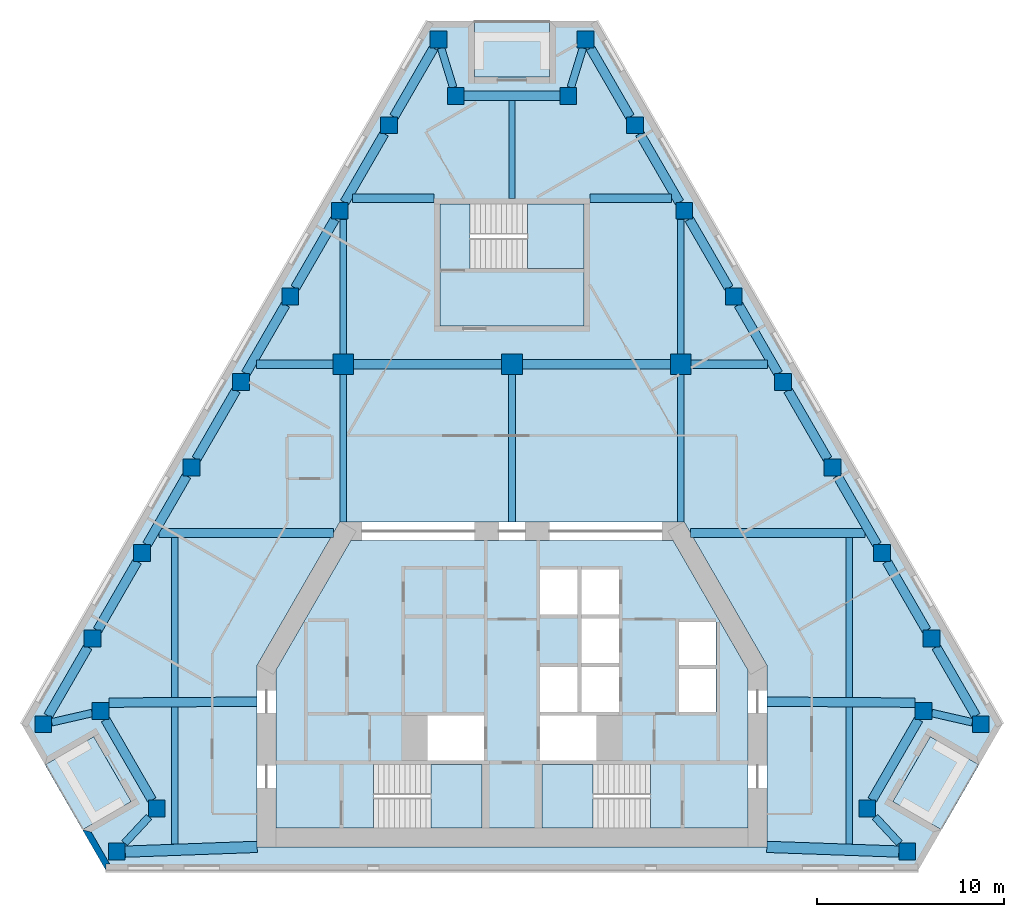
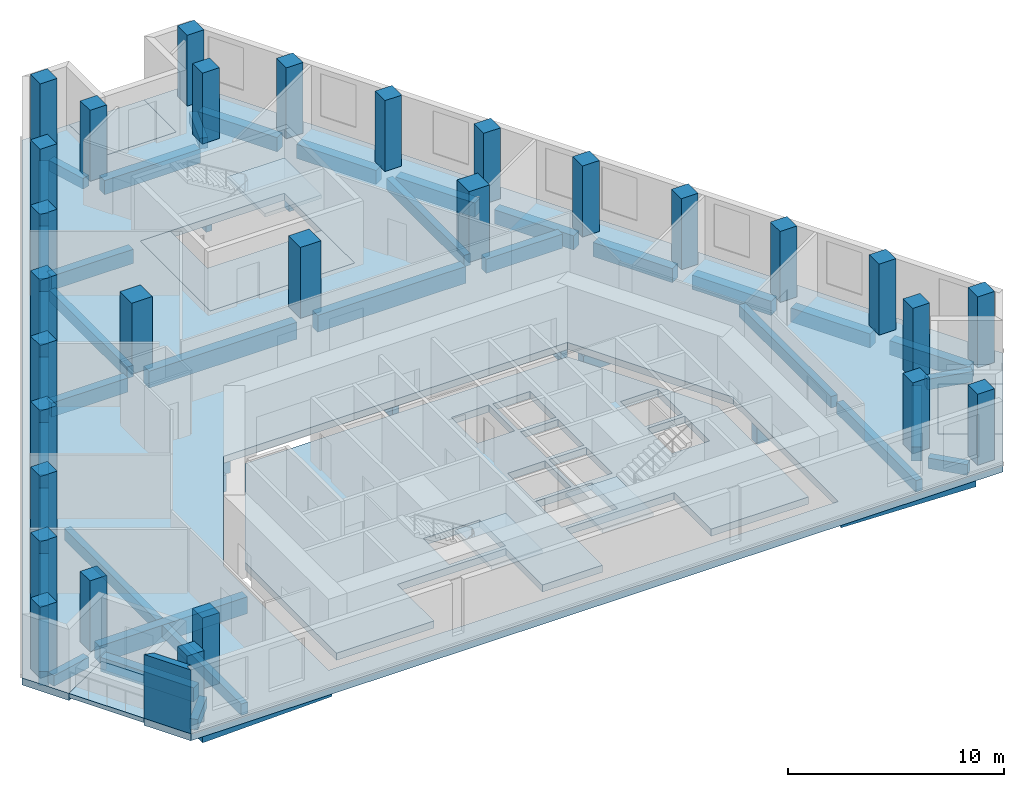
# One storey, part 1 of 7: 47 beams, 29 columns, 9 slabs, 1 wall, 3 elements without a shape of their own.
"""IFC4 building model written with IfcOpenShell, lengths in metres."""

from ifc_helpers import new_model, si_unit, direction, frame, origin, origin_2d, place, context, subcontext, project, spatial, polyline, rectangle, outline, extrude, material, layer, layer_set, material_profile, profile_set, type_object, element, aggregate, save


model = new_model("IFC4")

# Units and contexts
model_context = context("Model", 3, precision=1e-05, world=origin(), true_north=direction((0.0, 1.0)))
body_context = subcontext(model_context, "Body", "Model", "MODEL_VIEW")
ifc_project = project(units=[si_unit("LENGTHUNIT", "METRE"), si_unit("AREAUNIT", "SQUARE_METRE"), si_unit("VOLUMEUNIT", "CUBIC_METRE"), si_unit("PLANEANGLEUNIT", "RADIAN"), si_unit("MASSUNIT", "GRAM", prefix="KILO")], contexts=[model_context])

# Site, building, storey
site_placement = place(None, origin())
site = spatial("IfcSite", under=ifc_project, at=site_placement, CompositionType="ELEMENT")
building_placement = place(site_placement, origin())
building = spatial("IfcBuilding", under=site, at=building_placement, Name="Fogline Exchange Tower", CompositionType="ELEMENT")
storey_placement = place(building_placement, frame((0.0, 0.0, 247.5)))
storey = spatial("IfcBuildingStorey", under=building, at=storey_placement, Name="L56", CompositionType="ELEMENT", Elevation=247.5)

# Columns
ifc_material_1 = material(Name="Concrete C60", Category="concrete")
ifc_material_profile_1 = material_profile(ifc_material_1, rectangle(XDim=1.10009765625, YDim=1.10009765625, at=origin_2d()), Name="RC 1100x1100")
ifc_profile_set_1 = profile_set([ifc_material_profile_1], Name="Concrete C60")
column_type_1 = type_object("IfcColumnType", Name="C05", PredefinedType="COLUMN", material=ifc_profile_set_1)
for number, where, z_axis, x_axis, name in (
    (1, (-9.0, 27.0, 0.0), (0.0, 0.0, 1.0), (1.0, 0.0, 0.0), "IC--9-27"),
    (2, (0.0, 27.0, 0.0), (0.0, 0.0, 1.0), (1.0, 0.0, 0.0), "IC-0-27"),
    (3, (9.0, 27.0, 0.0), (0.0, 0.0, 1.0), (1.0, 0.0, 0.0), "IC-9-27"),
):
    element("IfcColumn", number, at=place(storey_placement, frame(where, z_axis=z_axis, x_axis=x_axis)), inside=storey, type_object=column_type_1, Name=name, PredefinedType="COLUMN", context=body_context, shape_type="SweptSolid", body=[
        extrude(rectangle(XDim=1.10009765625, YDim=1.10009765625, at=origin_2d()), origin(), (0.0, 0.0, 1.0), 4.0),
    ])
ifc_material_profile_2 = material_profile(ifc_material_1, rectangle(XDim=0.89990234375, YDim=0.89990234375, at=origin_2d()), Name="RC 900x900")
ifc_profile_set_2 = profile_set([ifc_material_profile_2], Name="Concrete C60")
column_type_2 = type_object("IfcColumnType", Name="C06", PredefinedType="COLUMN", material=ifc_profile_set_2)
for number, where, z_axis, x_axis, name in (
    (4, (-25.0146484375, 7.794189453125, 0.0), (0.0, 0.0, 1.0), (1.0, 0.0, 0.0), "SW-a"),
    (5, (-21.955322265625, 8.4951171875, 0.0), (0.0, 0.0, 1.0), (1.0, 0.0, 0.0), "SW-p4"),
    (6, (-18.955322265625, 3.299072265625, 0.0), (0.0, 0.0, 1.0), (1.0, 0.0, 0.0), "SW-p3"),
    (7, (-21.092041015625, 1.0, 0.0), (0.0, 0.0, 1.0), (1.0, 0.0, 0.0), "SW-b"),
    (8, (21.092041015625, 1.0, 0.0), (0.0, 0.0, 1.0), (1.0, 0.0, 0.0), "SE-a"),
    (9, (18.955322265625, 3.299072265625, 0.0), (0.0, 0.0, 1.0), (1.0, 0.0, 0.0), "SE-p4"),
    (10, (21.955322265625, 8.4951171875, 0.0), (0.0, 0.0, 1.0), (1.0, 0.0, 0.0), "SE-p3"),
    (11, (25.0146484375, 7.794189453125, 0.0), (0.0, 0.0, 1.0), (1.0, 0.0, 0.0), "SE-b"),
    (12, (22.378173828125, 12.36083984375, 0.0), (0.0, 0.0, 1.0), (1.0, 0.0, 0.0), "E1"),
    (13, (19.74169921875, 16.92724609375, 0.0), (0.0, 0.0, 1.0), (1.0, 0.0, 0.0), "E2"),
    (14, (17.105224609375, 21.493896484375, 0.0), (0.0, 0.0, 1.0), (1.0, 0.0, 0.0), "E3"),
    (15, (14.46875, 26.060302734375, 0.0), (0.0, 0.0, 1.0), (1.0, 0.0, 0.0), "E4"),
    (16, (11.832275390625, 30.626953125, 0.0), (0.0, 0.0, 1.0), (1.0, 0.0, 0.0), "E5"),
    (17, (9.19580078125, 35.193603515625, 0.0), (0.0, 0.0, 1.0), (1.0, 0.0, 0.0), "E6"),
    (18, (6.55908203125, 39.760009765625, 0.0), (0.0, 0.0, 1.0), (1.0, 0.0, 0.0), "E7"),
    (19, (3.922607421875, 44.32666015625, 0.0), (0.0, 0.0, 1.0), (1.0, 0.0, 0.0), "N-a"),
    (20, (3.0, 41.32666015625, 0.0), (0.0, 0.0, 1.0), (1.0, 0.0, 0.0), "N-p4"),
    (21, (-3.0, 41.32666015625, 0.0), (0.0, 0.0, 1.0), (1.0, 0.0, 0.0), "N-p3"),
    (22, (-3.922607421875, 44.32666015625, 0.0), (0.0, 0.0, 1.0), (1.0, 0.0, 0.0), "N-b"),
    (23, (-6.55908203125, 39.760009765625, 0.0), (0.0, 0.0, 1.0), (1.0, 0.0, 0.0), "W1"),
    (24, (-9.19580078125, 35.193603515625, 0.0), (0.0, 0.0, 1.0), (1.0, 0.0, 0.0), "W2"),
    (25, (-11.832275390625, 30.626953125, 0.0), (0.0, 0.0, 1.0), (1.0, 0.0, 0.0), "W3"),
    (26, (-14.46875, 26.060302734375, 0.0), (0.0, 0.0, 1.0), (1.0, 0.0, 0.0), "W4"),
    (27, (-17.105224609375, 21.493896484375, 0.0), (0.0, 0.0, 1.0), (1.0, 0.0, 0.0), "W5"),
    (28, (-19.74169921875, 16.92724609375, 0.0), (0.0, 0.0, 1.0), (1.0, 0.0, 0.0), "W6"),
    (29, (-22.378173828125, 12.36083984375, 0.0), (0.0, 0.0, 1.0), (1.0, 0.0, 0.0), "W7"),
):
    element("IfcColumn", number, at=place(storey_placement, frame(where, z_axis=z_axis, x_axis=x_axis)), inside=storey, type_object=column_type_2, Name=name, PredefinedType="COLUMN", context=body_context, shape_type="SweptSolid", body=[
        extrude(rectangle(XDim=0.89990234375, YDim=0.89990234375, at=origin_2d()), origin(), (0.0, 0.0, 1.0), 4.0),
    ])

# Beams
ifc_material_2 = material(Name="Concrete C40", Category="concrete")
ifc_material_profile_3 = material_profile(ifc_material_2, rectangle(XDim=0.300048828125, YDim=0.60009765625, at=origin_2d()), Name="RC 300x600")
ifc_profile_set_3 = profile_set([ifc_material_profile_3], Name="Concrete C40")
beam_type_1 = type_object("IfcBeamType", Name="B06", PredefinedType="BEAM", material=ifc_profile_set_3)
beam_1_placement = place(storey_placement, frame((0.0, 35.85693359375, -0.699951171875), z_axis=(0.0, 1.0, 0.0), x_axis=(-1.0, 0.0, 0.0)))
element("IfcBeam", 30, at=beam_1_placement, inside=storey, type_object=beam_type_1, Name="SB006", PredefinedType="BEAM", context=body_context, shape_type="SweptSolid", body=[
    extrude(rectangle(XDim=0.300048828125, YDim=0.60009765625, at=origin_2d()), origin(), (0.0, 0.0, 1.0), 5.2197265625),
])
ifc_material_profile_4 = material_profile(ifc_material_2, rectangle(XDim=0.60009765625, YDim=0.89990234375, at=origin_2d()), Name="RC 600x900")
ifc_profile_set_4 = profile_set([ifc_material_profile_4], Name="Concrete C40")
beam_type_2 = type_object("IfcBeamType", Name="B09", PredefinedType="BEAM", material=ifc_profile_set_4)
beam_2_placement = place(storey_placement, frame((-20.64208984375, 0.99462890625, -0.85009765625), z_axis=(0.999343107492, 0.036240219472, 0.0), x_axis=(-0.036240219472, 0.999343107492, 0.0)))
element("IfcBeam", 31, at=beam_2_placement, inside=storey, type_object=beam_type_2, Name="RB004", PredefinedType="BEAM", context=body_context, shape_type="SweptSolid", body=[
    extrude(rectangle(XDim=0.60009765625, YDim=0.89990234375, at=origin_2d()), origin(), (0.0, 0.0, 1.0), 7.046630859375),
])
beam_3_placement = place(storey_placement, frame((13.60009765625, 1.25, -0.85009765625), z_axis=(0.99937042328, -0.035478966629, 0.0), x_axis=(0.035478966629, 0.99937042328, 0.0)))
element("IfcBeam", 32, at=beam_3_placement, inside=storey, type_object=beam_type_2, Name="RB005", PredefinedType="BEAM", context=body_context, shape_type="SweptSolid", body=[
    extrude(rectangle(XDim=0.60009765625, YDim=0.89990234375, at=origin_2d()), origin(), (0.0, 0.0, 1.0), 7.04638671875),
])
ifc_material_profile_5 = material_profile(ifc_material_2, rectangle(XDim=0.5, YDim=0.800048828125, at=origin_2d()), Name="RC 500x800")
ifc_profile_set_5 = profile_set([ifc_material_profile_5], Name="Concrete C40")
beam_type_3 = type_object("IfcBeamType", Name="B10", PredefinedType="BEAM", material=ifc_profile_set_5)
for number, where, z_axis, x_axis, name in (
    (33, (-21.6953125, 8.045166015625, -0.800048828125), (0.499976646485, -0.866038886523, 0.0), (0.866038886523, 0.499976646485, 0.0), "RB002"),
    (34, (19.215087890625, 3.7490234375, -0.800048828125), (0.499976646485, 0.866038886523, 0.0), (-0.866038886523, 0.499976646485, 0.0), "RB007"),
):
    element("IfcBeam", number, at=place(storey_placement, frame(where, z_axis=z_axis, x_axis=x_axis)), inside=storey, type_object=beam_type_3, Name=name, PredefinedType="BEAM", context=body_context, shape_type="SweptSolid", body=[
        extrude(rectangle(XDim=0.5, YDim=0.800048828125, at=origin_2d()), origin(), (0.0, 0.0, 1.0), 4.960693359375),
    ])
beam_4_placement = place(storey_placement, frame((24.7548828125, 8.244140625, -0.800048828125), z_axis=(-0.499990325971, 0.866030989016, 0.0), x_axis=(-0.866030989016, -0.499990325971, 0.0)))
element("IfcBeam", 35, at=beam_4_placement, inside=storey, type_object=beam_type_3, Name="RB009", PredefinedType="BEAM", context=body_context, shape_type="SweptSolid", body=[
    extrude(rectangle(XDim=0.5, YDim=0.800048828125, at=origin_2d()), origin(), (0.0, 0.0, 1.0), 4.23388671875),
])
beam_5_placement = place(storey_placement, frame((22.118408203125, 12.810791015625, -0.800048828125), z_axis=(-0.500015295222, 0.866016572904, 0.0), x_axis=(-0.866016572904, -0.500015295222, 0.0)))
element("IfcBeam", 36, at=beam_5_placement, inside=storey, type_object=beam_type_3, Name="RB010", PredefinedType="BEAM", context=body_context, shape_type="SweptSolid", body=[
    extrude(rectangle(XDim=0.5, YDim=0.800048828125, at=origin_2d()), origin(), (0.0, 0.0, 1.0), 4.233642578125),
])
beam_6_placement = place(storey_placement, frame((19.481689453125, 17.377197265625, -0.800048828125), z_axis=(-0.499947076772, 0.866055956868, 0.0), x_axis=(-0.866055956868, -0.499947076772, 0.0)))
element("IfcBeam", 37, at=beam_6_placement, inside=storey, type_object=beam_type_3, Name="RB011", PredefinedType="BEAM", context=body_context, shape_type="SweptSolid", body=[
    extrude(rectangle(XDim=0.5, YDim=0.800048828125, at=origin_2d()), origin(), (0.0, 0.0, 1.0), 4.23388671875),
])
for number, where, z_axis, x_axis, name in (
    (38, (16.84521484375, 21.94384765625, -0.800048828125), (-0.499972045304, 0.866041542834, 0.0), (-0.866041542834, -0.499972045304, 0.0), "RB012"),
    (39, (14.208740234375, 26.510498046875, -0.800048828125), (-0.499972045304, 0.866041542834, 0.0), (-0.866041542834, -0.499972045304, 0.0), "RB013"),
    (40, (11.572265625, 31.076904296875, -0.800048828125), (-0.499972045304, 0.866041542834, 0.0), (-0.866041542834, -0.499972045304, 0.0), "RB014"),
    (41, (8.935791015625, 35.6435546875, -0.800048828125), (-0.499972045304, 0.866041542834, 0.0), (-0.866041542834, -0.499972045304, 0.0), "RB015"),
    (42, (6.29931640625, 40.210205078125, -0.800048828125), (-0.499972045304, 0.866041542834, 0.0), (-0.866041542834, -0.499972045304, 0.0), "RB016"),
):
    element("IfcBeam", number, at=place(storey_placement, frame(where, z_axis=z_axis, x_axis=x_axis)), inside=storey, type_object=beam_type_3, Name=name, PredefinedType="BEAM", context=body_context, shape_type="SweptSolid", body=[
        extrude(rectangle(XDim=0.5, YDim=0.800048828125, at=origin_2d()), origin(), (0.0, 0.0, 1.0), 4.233642578125),
    ])
beam_7_placement = place(storey_placement, frame((2.550048828125, 41.32666015625, -0.800048828125), z_axis=(-1.0, 0.0, 0.0), x_axis=(0.0, -1.0, 0.0)))
element("IfcBeam", 43, at=beam_7_placement, inside=storey, type_object=beam_type_3, Name="RB018", PredefinedType="BEAM", context=body_context, shape_type="SweptSolid", body=[
    extrude(rectangle(XDim=0.5, YDim=0.800048828125, at=origin_2d()), origin(), (0.0, 0.0, 1.0), 5.10009765625),
])
for number, where, z_axis, x_axis, name in (
    (44, (-4.1826171875, 43.876708984375, -0.800048828125), (-0.499972045304, -0.866041542834, 0.0), (0.866041542834, -0.499972045304, 0.0), "RB020"),
    (45, (-6.819091796875, 39.31005859375, -0.800048828125), (-0.499972045304, -0.866041542834, 0.0), (0.866041542834, -0.499972045304, 0.0), "RB021"),
    (46, (-9.45556640625, 34.743408203125, -0.800048828125), (-0.499972045304, -0.866041542834, 0.0), (0.866041542834, -0.499972045304, 0.0), "RB022"),
    (47, (-12.092041015625, 30.177001953125, -0.800048828125), (-0.499972045304, -0.866041542834, 0.0), (0.866041542834, -0.499972045304, 0.0), "RB023"),
    (48, (-14.728515625, 25.6103515625, -0.800048828125), (-0.499972045304, -0.866041542834, 0.0), (0.866041542834, -0.499972045304, 0.0), "RB024"),
):
    element("IfcBeam", number, at=place(storey_placement, frame(where, z_axis=z_axis, x_axis=x_axis)), inside=storey, type_object=beam_type_3, Name=name, PredefinedType="BEAM", context=body_context, shape_type="SweptSolid", body=[
        extrude(rectangle(XDim=0.5, YDim=0.800048828125, at=origin_2d()), origin(), (0.0, 0.0, 1.0), 4.233642578125),
    ])
beam_8_placement = place(storey_placement, frame((-17.364990234375, 21.0439453125, -0.800048828125), z_axis=(-0.499947076772, -0.866055956868, 0.0), x_axis=(0.866055956868, -0.499947076772, 0.0)))
element("IfcBeam", 49, at=beam_8_placement, inside=storey, type_object=beam_type_3, Name="RB025", PredefinedType="BEAM", context=body_context, shape_type="SweptSolid", body=[
    extrude(rectangle(XDim=0.5, YDim=0.800048828125, at=origin_2d()), origin(), (0.0, 0.0, 1.0), 4.23388671875),
])
beam_9_placement = place(storey_placement, frame((-20.00146484375, 16.477294921875, -0.800048828125), z_axis=(-0.500015295222, -0.866016572904, 0.0), x_axis=(0.866016572904, -0.500015295222, 0.0)))
element("IfcBeam", 50, at=beam_9_placement, inside=storey, type_object=beam_type_3, Name="RB026", PredefinedType="BEAM", context=body_context, shape_type="SweptSolid", body=[
    extrude(rectangle(XDim=0.5, YDim=0.800048828125, at=origin_2d()), origin(), (0.0, 0.0, 1.0), 4.233642578125),
])
beam_10_placement = place(storey_placement, frame((-22.637939453125, 11.910888671875, -0.800048828125), z_axis=(-0.499990325971, -0.866030989016, 0.0), x_axis=(0.866030989016, -0.499990325971, 0.0)))
element("IfcBeam", 51, at=beam_10_placement, inside=storey, type_object=beam_type_3, Name="RB027", PredefinedType="BEAM", context=body_context, shape_type="SweptSolid", body=[
    extrude(rectangle(XDim=0.5, YDim=0.800048828125, at=origin_2d()), origin(), (0.0, 0.0, 1.0), 4.23388671875),
])
ifc_material_profile_6 = material_profile(ifc_material_2, rectangle(XDim=0.39990234375, YDim=0.60009765625, at=origin_2d()), Name="RC 400x600")
ifc_profile_set_6 = profile_set([ifc_material_profile_6], Name="Concrete C40")
beam_type_4 = type_object("IfcBeamType", Name="B11", PredefinedType="BEAM", material=ifc_profile_set_6)
beam_11_placement = place(storey_placement, frame((-24.564697265625, 7.897216796875, -0.699951171875), z_axis=(0.974731818643, 0.223378337636, 0.0), x_axis=(-0.223378337636, 0.974731818643, 0.0)))
element("IfcBeam", 52, at=beam_11_placement, inside=storey, type_object=beam_type_4, Name="RB001", PredefinedType="BEAM", context=body_context, shape_type="SweptSolid", body=[
    extrude(rectangle(XDim=0.39990234375, YDim=0.60009765625, at=origin_2d()), origin(), (0.0, 0.0, 1.0), 2.21533203125),
])
for number, where, z_axis, x_axis, name in (
    (53, (-19.37353515625, 2.84912109375, -0.699951171875), (-0.68075009804, -0.732515736362, 0.0), (0.732515736362, -0.68075009804, 0.0), "RB003"),
    (54, (20.673828125, 1.449951171875, -0.699951171875), (-0.68075009804, 0.732515736362, 0.0), (-0.732515736362, -0.68075009804, 0.0), "RB006"),
):
    element("IfcBeam", number, at=place(storey_placement, frame(where, z_axis=z_axis, x_axis=x_axis)), inside=storey, type_object=beam_type_4, Name=name, PredefinedType="BEAM", context=body_context, shape_type="SweptSolid", body=[
        extrude(rectangle(XDim=0.39990234375, YDim=0.60009765625, at=origin_2d()), origin(), (0.0, 0.0, 1.0), 1.91015625),
    ])
beam_12_placement = place(storey_placement, frame((22.4052734375, 8.39208984375, -0.699951171875), z_axis=(0.974731818643, -0.223378337636, 0.0), x_axis=(0.223378337636, 0.974731818643, 0.0)))
element("IfcBeam", 55, at=beam_12_placement, inside=storey, type_object=beam_type_4, Name="RB008", PredefinedType="BEAM", context=body_context, shape_type="SweptSolid", body=[
    extrude(rectangle(XDim=0.39990234375, YDim=0.60009765625, at=origin_2d()), origin(), (0.0, 0.0, 1.0), 2.21533203125),
])
for number, where, z_axis, x_axis, name in (
    (56, (3.7841796875, 43.876708984375, -0.699951171875), (-0.293906253456, -0.95583425037, 0.0), (0.95583425037, -0.293906253456, 0.0), "RB017"),
    (57, (-3.138427734375, 41.776611328125, -0.699951171875), (-0.293906253456, 0.95583425037, 0.0), (-0.95583425037, -0.293906253456, 0.0), "RB019"),
):
    element("IfcBeam", number, at=place(storey_placement, frame(where, z_axis=z_axis, x_axis=x_axis)), inside=storey, type_object=beam_type_4, Name=name, PredefinedType="BEAM", context=body_context, shape_type="SweptSolid", body=[
        extrude(rectangle(XDim=0.39990234375, YDim=0.60009765625, at=origin_2d()), origin(), (0.0, 0.0, 1.0), 2.197021484375),
    ])
ifc_material_profile_7 = material_profile(ifc_material_2, rectangle(XDim=0.5, YDim=0.949951171875, at=origin_2d()), Name="RC 500x950")
ifc_profile_set_7 = profile_set([ifc_material_profile_7], Name="Concrete C40")
beam_type_5 = type_object("IfcBeamType", Name="B14", PredefinedType="BEAM", material=ifc_profile_set_7)
for number, where, z_axis, x_axis, name in (
    (58, (-21.50537109375, 8.9453125, -0.875), (0.999976072531, 0.006917684998, 0.0), (-0.006917684998, 0.999976072531, 0.0), "GB001"),
    (59, (13.60009765625, 9.0, -0.875), (0.999976072531, -0.006917684998, 0.0), (0.006917684998, 0.999976072531, 0.0), "GB002"),
):
    element("IfcBeam", number, at=place(storey_placement, frame(where, z_axis=z_axis, x_axis=x_axis)), inside=storey, type_object=beam_type_5, Name=name, PredefinedType="BEAM", context=body_context, shape_type="SweptSolid", body=[
        extrude(rectangle(XDim=0.5, YDim=0.949951171875, at=origin_2d()), origin(), (0.0, 0.0, 1.0), 7.905517578125),
    ])
for number, where, z_axis, x_axis, name in (
    (60, (-18.833740234375, 18.0, -0.875), (1.0, 0.0, 0.0), (0.0, 1.0, 0.0), "GB003"),
    (61, (9.527099609375, 18.0, -0.875), (1.0, 0.0, 0.0), (0.0, 1.0, 0.0), "GB004"),
):
    element("IfcBeam", number, at=place(storey_placement, frame(where, z_axis=z_axis, x_axis=x_axis)), inside=storey, type_object=beam_type_5, Name=name, PredefinedType="BEAM", context=body_context, shape_type="SweptSolid", body=[
        extrude(rectangle(XDim=0.5, YDim=0.949951171875, at=origin_2d()), origin(), (0.0, 0.0, 1.0), 9.306640625),
    ])
for number, where, z_axis, x_axis, name in (
    (62, (-8.449951171875, 27.0, -0.875), (1.0, 0.0, 0.0), (0.0, 1.0, 0.0), "GB006"),
    (63, (0.550048828125, 27.0, -0.875), (1.0, 0.0, 0.0), (0.0, 1.0, 0.0), "GB007"),
):
    element("IfcBeam", number, at=place(storey_placement, frame(where, z_axis=z_axis, x_axis=x_axis)), inside=storey, type_object=beam_type_5, Name=name, PredefinedType="BEAM", context=body_context, shape_type="SweptSolid", body=[
        extrude(rectangle(XDim=0.5, YDim=0.949951171875, at=origin_2d()), origin(), (0.0, 0.0, 1.0), 7.89990234375),
    ])
ifc_material_profile_8 = material_profile(ifc_material_2, rectangle(XDim=0.35009765625, YDim=0.64990234375, at=origin_2d()), Name="RC 350x650")
ifc_profile_set_8 = profile_set([ifc_material_profile_8], Name="Concrete C40")
beam_type_6 = type_object("IfcBeamType", Name="B16", PredefinedType="BEAM", material=ifc_profile_set_8)
beam_13_placement = place(storey_placement, frame((-18.0, 1.390625, -0.72509765625), z_axis=(0.0, 1.0, 0.0), x_axis=(-1.0, 0.0, 0.0)))
element("IfcBeam", 64, at=beam_13_placement, inside=storey, type_object=beam_type_6, Name="SB001", PredefinedType="BEAM", context=body_context, shape_type="SweptSolid", body=[
    extrude(rectangle(XDim=0.35009765625, YDim=0.64990234375, at=origin_2d()), origin(), (0.0, 0.0, 1.0), 7.328857421875),
])
beam_14_placement = place(storey_placement, frame((-18.0, 9.219482421875, -0.72509765625), z_axis=(0.0, 1.0, 0.0), x_axis=(-1.0, 0.0, 0.0)))
element("IfcBeam", 65, at=beam_14_placement, inside=storey, type_object=beam_type_6, Name="SB002", PredefinedType="BEAM", context=body_context, shape_type="SweptSolid", body=[
    extrude(rectangle(XDim=0.35009765625, YDim=0.64990234375, at=origin_2d()), origin(), (0.0, 0.0, 1.0), 8.530517578125),
])
beam_15_placement = place(storey_placement, frame((-9.0, 18.60009765625, -0.72509765625), z_axis=(0.0, 1.0, 0.0), x_axis=(-1.0, 0.0, 0.0)))
element("IfcBeam", 66, at=beam_15_placement, inside=storey, type_object=beam_type_6, Name="SB003", PredefinedType="BEAM", context=body_context, shape_type="SweptSolid", body=[
    extrude(rectangle(XDim=0.35009765625, YDim=0.64990234375, at=origin_2d()), origin(), (0.0, 0.0, 1.0), 7.849853515625),
])
beam_16_placement = place(storey_placement, frame((-9.0, 27.550048828125, -0.72509765625), z_axis=(0.0, 1.0, 0.0), x_axis=(-1.0, 0.0, 0.0)))
element("IfcBeam", 67, at=beam_16_placement, inside=storey, type_object=beam_type_6, Name="SB004", PredefinedType="BEAM", context=body_context, shape_type="SweptSolid", body=[
    extrude(rectangle(XDim=0.35009765625, YDim=0.64990234375, at=origin_2d()), origin(), (0.0, 0.0, 1.0), 7.193359375),
])
for number, where, z_axis, x_axis, name in (
    (68, (0.0, 18.60009765625, -0.72509765625), (0.0, 1.0, 0.0), (-1.0, 0.0, 0.0), "SB005"),
    (69, (9.0, 18.60009765625, -0.72509765625), (0.0, 1.0, 0.0), (-1.0, 0.0, 0.0), "SB007"),
):
    element("IfcBeam", number, at=place(storey_placement, frame(where, z_axis=z_axis, x_axis=x_axis)), inside=storey, type_object=beam_type_6, Name=name, PredefinedType="BEAM", context=body_context, shape_type="SweptSolid", body=[
        extrude(rectangle(XDim=0.35009765625, YDim=0.64990234375, at=origin_2d()), origin(), (0.0, 0.0, 1.0), 7.849853515625),
    ])
beam_17_placement = place(storey_placement, frame((9.0, 27.550048828125, -0.72509765625), z_axis=(0.0, 1.0, 0.0), x_axis=(-1.0, 0.0, 0.0)))
element("IfcBeam", 70, at=beam_17_placement, inside=storey, type_object=beam_type_6, Name="SB008", PredefinedType="BEAM", context=body_context, shape_type="SweptSolid", body=[
    extrude(rectangle(XDim=0.35009765625, YDim=0.64990234375, at=origin_2d()), origin(), (0.0, 0.0, 1.0), 7.193359375),
])
beam_18_placement = place(storey_placement, frame((18.0, 1.39404296875, -0.72509765625), z_axis=(0.0, 1.0, 0.0), x_axis=(-1.0, 0.0, 0.0)))
element("IfcBeam", 71, at=beam_18_placement, inside=storey, type_object=beam_type_6, Name="SB009", PredefinedType="BEAM", context=body_context, shape_type="SweptSolid", body=[
    extrude(rectangle(XDim=0.35009765625, YDim=0.64990234375, at=origin_2d()), origin(), (0.0, 0.0, 1.0), 7.325439453125),
])
beam_19_placement = place(storey_placement, frame((18.0, 9.219482421875, -0.72509765625), z_axis=(0.0, 1.0, 0.0), x_axis=(-1.0, 0.0, 0.0)))
element("IfcBeam", 72, at=beam_19_placement, inside=storey, type_object=beam_type_6, Name="SB010", PredefinedType="BEAM", context=body_context, shape_type="SweptSolid", body=[
    extrude(rectangle(XDim=0.35009765625, YDim=0.64990234375, at=origin_2d()), origin(), (0.0, 0.0, 1.0), 8.530517578125),
])
ifc_material_profile_9 = material_profile(ifc_material_2, rectangle(XDim=0.449951171875, YDim=0.800048828125, at=origin_2d()), Name="RC 450x800")
ifc_profile_set_9 = profile_set([ifc_material_profile_9], Name="Concrete C40")
beam_type_7 = type_object("IfcBeamType", Name="B18", PredefinedType="BEAM", material=ifc_profile_set_9)
for number, where, z_axis, x_axis, name in (
    (73, (-13.637451171875, 27.0, -0.800048828125), (1.0, 0.0, 0.0), (0.0, 1.0, 0.0), "GB005"),
    (74, (9.550048828125, 27.0, -0.800048828125), (1.0, 0.0, 0.0), (0.0, 1.0, 0.0), "GB008"),
):
    element("IfcBeam", number, at=place(storey_placement, frame(where, z_axis=z_axis, x_axis=x_axis)), inside=storey, type_object=beam_type_7, Name=name, PredefinedType="BEAM", context=body_context, shape_type="SweptSolid", body=[
        extrude(rectangle(XDim=0.449951171875, YDim=0.800048828125, at=origin_2d()), origin(), (0.0, 0.0, 1.0), 4.08740234375),
    ])
for number, where, z_axis, x_axis, name in (
    (75, (-8.52392578125, 35.85693359375, -0.800048828125), (1.0, 0.0, 0.0), (0.0, 1.0, 0.0), "GB009"),
    (76, (4.14990234375, 35.85693359375, -0.800048828125), (1.0, 0.0, 0.0), (0.0, 1.0, 0.0), "GB010"),
):
    element("IfcBeam", number, at=place(storey_placement, frame(where, z_axis=z_axis, x_axis=x_axis)), inside=storey, type_object=beam_type_7, Name=name, PredefinedType="BEAM", context=body_context, shape_type="SweptSolid", body=[
        extrude(rectangle(XDim=0.449951171875, YDim=0.800048828125, at=origin_2d()), origin(), (0.0, 0.0, 1.0), 4.3740234375),
    ])

# Slabs
ifc_layer_1 = layer(ifc_material_2, 0.25)
ifc_layer_set_1 = layer_set([ifc_layer_1], Name="DK1")
slab_type_1 = type_object("IfcSlabType", Name="DK1", PredefinedType="FLOOR", material=ifc_layer_set_1)
slab_1_placement = place(storey_placement, frame((0.0, 0.0, -0.25)))
element("IfcSlab", 77, at=slab_1_placement, inside=storey, type_object=slab_type_1, Name="Balcony L56 SW", PredefinedType="FLOOR", context=body_context, shape_type="SweptSolid", body=[
    extrude(outline(polyline([(-24.91943359375, 5.629150390625), (-22.91943359375, 2.1650390625), (-20.3212890625, 3.6650390625), (-22.3212890625, 7.129150390625), (-24.91943359375, 5.629150390625)])), origin(), (0.0, 0.0, 1.0), 0.25),
])
slab_2_placement = place(storey_placement, frame((0.0, 0.0, -0.25)))
element("IfcSlab", 78, at=slab_2_placement, inside=storey, type_object=slab_type_1, Name="Balcony L56 SE", PredefinedType="FLOOR", context=body_context, shape_type="SweptSolid", body=[
    extrude(outline(polyline([(22.91943359375, 2.1650390625), (24.91943359375, 5.629150390625), (22.3212890625, 7.129150390625), (20.3212890625, 3.6650390625), (22.91943359375, 2.1650390625)])), origin(), (0.0, 0.0, 1.0), 0.25),
])
slab_3_placement = place(storey_placement, frame((0.0, 0.0, -0.25)))
element("IfcSlab", 79, at=slab_3_placement, inside=storey, type_object=slab_type_1, Name="Balcony L56 N", PredefinedType="FLOOR", context=body_context, shape_type="SweptSolid", body=[
    extrude(outline(polyline([(2.0, 45.32666015625), (-2.0, 45.32666015625), (-2.0, 42.32666015625), (2.0, 42.32666015625), (2.0, 45.32666015625)])), origin(), (0.0, 0.0, 1.0), 0.25),
])
ifc_layer_2 = layer(ifc_material_2, 0.39990234375)
ifc_layer_set_2 = layer_set([ifc_layer_2], Name="S03")
slab_type_2 = type_object("IfcSlabType", Name="S03", PredefinedType="FLOOR", material=ifc_layer_set_2)
slab_4_placement = place(storey_placement, frame((0.0, 0.0, -0.39990234375)))
element("IfcSlab", 80, at=slab_4_placement, inside=storey, type_object=slab_type_2, Name="SLAB L56", PredefinedType="FLOOR", context=body_context, shape_type="SweptSolid", body=[
    extrude(outline(polyline([(-2.0, 45.32666015625), (-4.5, 45.32666015625), (-26.16943359375, 7.794189453125), (-24.91943359375, 5.629150390625), (-22.3212890625, 7.129150390625), (-20.3212890625, 3.6650390625), (-22.91943359375, 2.1650390625), (-21.66943359375, 0.0), (21.66943359375, 0.0), (22.91943359375, 2.1650390625), (20.3212890625, 3.6650390625), (22.3212890625, 7.129150390625), (24.91943359375, 5.629150390625), (26.16943359375, 7.794189453125), (4.5, 45.32666015625), (2.0, 45.32666015625), (2.0, 42.32666015625), (-2.0, 42.32666015625), (-2.0, 45.32666015625)]), holes=[polyline([(13.60009765625, 10.9453125), (13.60009765625, 1.25), (-13.60009765625, 1.25), (-13.60009765625, 10.9453125), (-9.1806640625, 18.60009765625), (9.1806640625, 18.60009765625), (13.60009765625, 10.9453125)]), polyline([(3.85009765625, 35.556884765625), (3.85009765625, 29.056884765625), (-3.85009765625, 29.056884765625), (-3.85009765625, 35.556884765625), (3.85009765625, 35.556884765625)])]), origin(), (0.0, 0.0, 1.0), 0.39990234375),
])
slab_5_placement = place(storey_placement, frame((0.0, 0.0, -0.39990234375)))
element("IfcSlab", 81, at=slab_5_placement, inside=storey, type_object=slab_type_2, Name="Core floor slab", PredefinedType="FLOOR", context=body_context, shape_type="SweptSolid", body=[
    extrude(outline(polyline([(-12.60009765625, 2.25), (-12.60009765625, 10.677490234375), (-8.603271484375, 17.60009765625), (8.603271484375, 17.60009765625), (12.60009765625, 10.677490234375), (12.60009765625, 2.25), (7.389892578125, 2.25), (7.389892578125, 5.64990234375), (1.60009765625, 5.64990234375), (1.60009765625, 2.25), (-1.60009765625, 2.25), (-1.60009765625, 5.64990234375), (-7.389892578125, 5.64990234375), (-7.389892578125, 2.25), (-12.60009765625, 2.25)]), holes=[polyline([(-4.5, 8.25), (-4.5, 5.85009765625), (-1.5, 5.85009765625), (-1.5, 8.25), (-4.5, 8.25)]), polyline([(4.5, 8.25), (1.5, 8.25), (1.5, 5.85009765625), (4.5, 5.85009765625), (4.5, 8.25)]), polyline([(3.5, 10.85009765625), (1.5, 10.85009765625), (1.5, 8.449951171875), (3.5, 8.449951171875), (3.5, 10.85009765625)]), polyline([(1.5, 16.050048828125), (1.5, 13.64990234375), (3.5, 13.64990234375), (3.5, 16.050048828125), (1.5, 16.050048828125)]), polyline([(10.89990234375, 10.75), (8.89990234375, 10.75), (8.89990234375, 8.449951171875), (10.89990234375, 8.449951171875), (10.89990234375, 10.75)]), polyline([(5.699951171875, 10.85009765625), (3.699951171875, 10.85009765625), (3.699951171875, 8.449951171875), (5.699951171875, 8.449951171875), (5.699951171875, 10.85009765625)]), polyline([(8.89990234375, 13.25), (8.89990234375, 10.949951171875), (10.89990234375, 10.949951171875), (10.89990234375, 13.25), (8.89990234375, 13.25)]), polyline([(5.699951171875, 13.449951171875), (3.699951171875, 13.449951171875), (3.699951171875, 11.050048828125), (5.699951171875, 11.050048828125), (5.699951171875, 13.449951171875)]), polyline([(5.699951171875, 16.050048828125), (3.699951171875, 16.050048828125), (3.699951171875, 13.64990234375), (5.699951171875, 13.64990234375), (5.699951171875, 16.050048828125)])]), origin(), (0.0, 0.0, 1.0), 0.39990234375),
])
slab_6_placement = place(storey_placement, frame((0.0, 0.0, -0.39990234375)))
element("IfcSlab", 82, at=slab_6_placement, inside=storey, type_object=slab_type_2, Name="Stair enclosure floor slab", PredefinedType="FLOOR", context=body_context, shape_type="SweptSolid", body=[
    extrude(outline(polyline([(3.85009765625, 29.056884765625), (-3.85009765625, 29.056884765625), (-3.85009765625, 35.556884765625), (-2.239990234375, 35.556884765625), (-2.239990234375, 32.10693359375), (3.85009765625, 32.10693359375), (3.85009765625, 29.056884765625)])), origin(), (0.0, 0.0, 1.0), 0.39990234375),
])

# Stair, slab
stair_type = type_object("IfcStairType", Name="STR24-1667", PredefinedType="HALF_TURN_STAIR", material=ifc_material_2)
stair_1_placement = place(storey_placement, origin())
stair_1 = element("IfcStair", 83, at=stair_1_placement, inside=storey, type_object=stair_type, Name="Stair ST1", PredefinedType="HALF_TURN_STAIR")
ifc_layer_3 = layer(ifc_material_2, 0.199951171875)
ifc_layer_set_3 = layer_set([ifc_layer_3], Name="SL200")
slab_type_3 = type_object("IfcSlabType", Name="SL200", PredefinedType="LANDING", material=ifc_layer_set_3)
slab_7_placement = place(storey_placement, frame((0.0, 0.0, 1.800048828125)))
slab_7 = element("IfcSlab", 84, at=slab_7_placement, type_object=slab_type_3, Name="ST1 landing 1", PredefinedType="LANDING", context=body_context, shape_type="SweptSolid", body=[
    extrude(outline(polyline([(-4.320068359375, 2.25), (-1.60009765625, 2.25), (-1.60009765625, 5.64990234375), (-4.320068359375, 5.64990234375), (-4.320068359375, 2.25)])), origin(), (0.0, 0.0, 1.0), 0.199951171875),
])
aggregate(stair_1, [slab_7])

stair_2_placement = place(storey_placement, origin())
stair_2 = element("IfcStair", 85, at=stair_2_placement, inside=storey, type_object=stair_type, Name="Stair ST2", PredefinedType="HALF_TURN_STAIR")
slab_8_placement = place(storey_placement, frame((0.0, 0.0, 1.800048828125)))
slab_8 = element("IfcSlab", 86, at=slab_8_placement, type_object=slab_type_3, Name="ST2 landing 1", PredefinedType="LANDING", context=body_context, shape_type="SweptSolid", body=[
    extrude(outline(polyline([(1.60009765625, 2.25), (4.320068359375, 2.25), (4.320068359375, 5.64990234375), (1.60009765625, 5.64990234375), (1.60009765625, 2.25)])), origin(), (0.0, 0.0, 1.0), 0.199951171875),
])
aggregate(stair_2, [slab_8])

stair_3_placement = place(storey_placement, origin())
stair_3 = element("IfcStair", 87, at=stair_3_placement, inside=storey, type_object=stair_type, Name="Stair ST3", PredefinedType="HALF_TURN_STAIR")
slab_9_placement = place(storey_placement, frame((0.0, 0.0, 1.800048828125)))
slab_9 = element("IfcSlab", 88, at=slab_9_placement, type_object=slab_type_3, Name="ST3 landing 1", PredefinedType="LANDING", context=body_context, shape_type="SweptSolid", body=[
    extrude(outline(polyline([(0.830078125, 32.10693359375), (3.85009765625, 32.10693359375), (3.85009765625, 35.556884765625), (0.830078125, 35.556884765625), (0.830078125, 32.10693359375)])), origin(), (0.0, 0.0, 1.0), 0.199951171875),
])
aggregate(stair_3, [slab_9])

# Wall
ifc_material_3 = material(Name="Brick masonry", Category="masonry")
ifc_layer_4 = layer(ifc_material_3, 0.340087890625)
ifc_layer_set_4 = layer_set([ifc_layer_4], Name="FW1")
wall_type = type_object("IfcWallType", Name="FW1", PredefinedType="SOLIDWALL", material=ifc_layer_set_4)
wall_placement = place(storey_placement, origin())
element("IfcWall", 89, at=wall_placement, inside=storey, type_object=wall_type, Name="Brick wall L56 SW-c2", PredefinedType="SOLIDWALL", context=body_context, shape_type="SweptSolid", body=[
    extrude(outline(polyline([(-21.471923828125, 0.33935546875), (-21.668701171875, 0.33935546875), (-21.668701171875, -0.0009765625), (-21.66943359375, -0.001220703125), (-22.92041015625, 2.165771484375), (-22.920166015625, 2.166015625), (-22.45458984375, 2.041015625), (-21.471923828125, 0.33935546875)])), origin(), (0.0, 0.0, 1.0), 3.60009765625),
])

save(model, "model.ifc")
